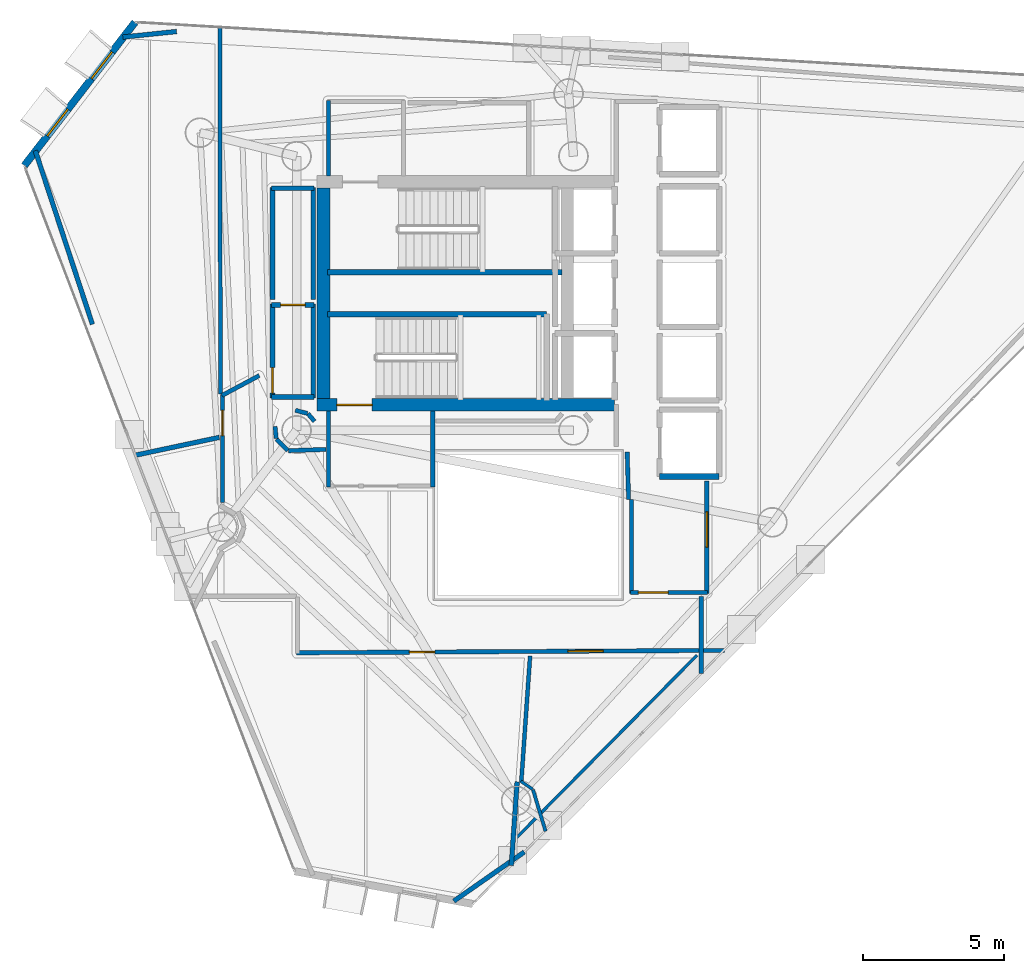
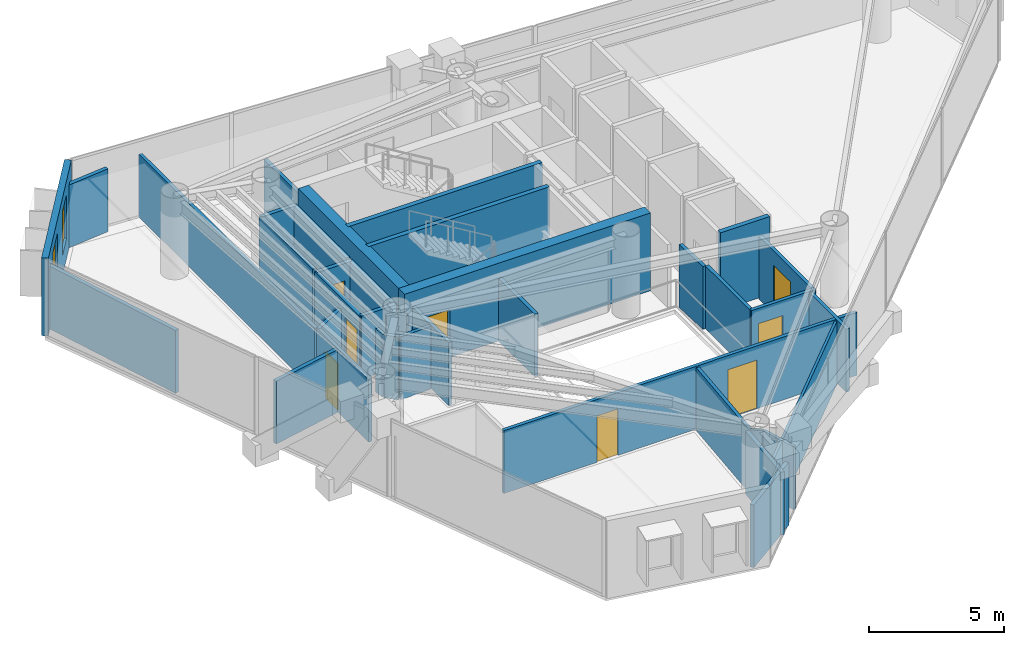
# One storey, part 16 of 20: 39 walls, 8 doors, 2 windows, 10 openings.
"""IFC4 building model written with IfcOpenShell, lengths in metres."""

from ifc_helpers import new_model, si_unit, direction, frame, frame_2d, origin, place, context, subcontext, project, spatial, rectangle, extrude, material, layer, layer_set, type_object, element, fill, save


model = new_model("IFC4")

# Units and contexts
model_context = context("Model", 3, precision=1e-05, world=origin(), true_north=direction((0.0, 1.0)))
body_context = subcontext(model_context, "Body", "Model", "MODEL_VIEW")
ifc_project = project(units=[si_unit("LENGTHUNIT", "METRE"), si_unit("AREAUNIT", "SQUARE_METRE"), si_unit("VOLUMEUNIT", "CUBIC_METRE"), si_unit("PLANEANGLEUNIT", "RADIAN"), si_unit("MASSUNIT", "GRAM", prefix="KILO")], contexts=[model_context])

# Site, building, storey
site_placement = place(None, origin())
site = spatial("IfcSite", under=ifc_project, at=site_placement, CompositionType="ELEMENT")
building_placement = place(site_placement, origin())
building = spatial("IfcBuilding", under=site, at=building_placement, Name="Qianvela Tower", CompositionType="ELEMENT")
storey_placement = place(building_placement, frame((0.0, 0.0, 239.0)))
storey = spatial("IfcBuildingStorey", under=building, at=storey_placement, Name="L61", CompositionType="ELEMENT", Elevation=239.0)

# Wall, openings, windows
ifc_material_1 = material(Name="Terracotta Cladding on Concrete C40", Category="masonry")
ifc_layer_1 = layer(ifc_material_1, 0.260009765625)
ifc_layer_set_1 = layer_set([ifc_layer_1], Name="Terracotta Cladding on Concrete C40")
wall_type_1 = type_object("IfcWallType", Name="TERRACOTTA-WALL-260", PredefinedType="SOLIDWALL", material=ifc_layer_set_1)
wall_1_placement = place(storey_placement, frame((22.881591796875, 38.292724609375, 0.0), z_axis=(0.0, 0.0, 1.0), x_axis=(-0.610907208769, -0.791702205551, 0.0)))
wall_1 = element("IfcWall", 1, at=wall_1_placement, inside=storey, type_object=wall_type_1, Name="L61 Terracotta Chamfer Facet Wall 3", PredefinedType="SOLIDWALL", context=body_context, shape_type="SweptSolid", body=[
    extrude(rectangle(XDim=6.40625, YDim=0.260009765625, at=frame_2d((3.203125, 0.0))), origin(), (0.0, 0.0, 1.0), 3.52001953125),
])
opening_1_placement = place(wall_1_placement, frame((1.322021484375, 0.0, 0.89990234375)))
opening_1 = element("IfcOpeningElement", 2, at=opening_1_placement, cuts=wall_1, Name="Opening W-03", PredefinedType="OPENING", context=body_context, shape_type="SweptSolid", body=[
    extrude(rectangle(XDim=1.199951171875, YDim=2.0, at=frame_2d((0.60009765625, 1.0))), frame((0.0, 0.139892578125, 0.0), z_axis=(0.0, -1.0, 0.0), x_axis=(1.0, 0.0, 0.0)), (0.0, 0.0, 1.0), 0.280029296875),
])
opening_2_placement = place(wall_1_placement, frame((3.884521484375, 0.0, 0.89990234375)))
opening_2 = element("IfcOpeningElement", 3, at=opening_2_placement, cuts=wall_1, Name="Opening W-03", PredefinedType="OPENING", context=body_context, shape_type="SweptSolid", body=[
    extrude(rectangle(XDim=1.199951171875, YDim=2.0, at=frame_2d((0.60009765625, 1.0))), frame((0.0, 0.139892578125, 0.0), z_axis=(0.0, -1.0, 0.0), x_axis=(1.0, 0.0, 0.0)), (0.0, 0.0, 1.0), 0.280029296875),
])
ifc_material_2 = material(Name="Thermally Broken Aluminium and Low-E Glass", Category="aluminium")
window_type = type_object("IfcWindowType", Name="WIN-TC-1200x2000", PartitioningType="SINGLE_PANEL", PredefinedType="WINDOW", material=ifc_material_2)
window_1_placement = place(opening_1_placement, origin())
window_1 = element("IfcWindow", 4, at=window_1_placement, inside=storey, type_object=window_type, Name="L61 Chamfer Facet Window 3.1", OverallHeight=2.0, OverallWidth=1.199951171875, PartitioningType="SINGLE_PANEL", PredefinedType="WINDOW", context=body_context, shape_type="SweptSolid", body=[
    extrude(rectangle(XDim=1.199951171875, YDim=2.0, at=frame_2d((0.60009765625, 1.0))), frame((0.0, 0.030029296875, 0.0), z_axis=(0.0, -1.0, 0.0), x_axis=(1.0, 0.0, 0.0)), (0.0, 0.0, 1.0), 0.06005859375),
])
fill(opening_1, window_1)
window_2_placement = place(opening_2_placement, origin())
window_2 = element("IfcWindow", 5, at=window_2_placement, inside=storey, type_object=window_type, Name="L61 Chamfer Facet Window 3.2", OverallHeight=2.0, OverallWidth=1.199951171875, PartitioningType="SINGLE_PANEL", PredefinedType="WINDOW", context=body_context, shape_type="SweptSolid", body=[
    extrude(rectangle(XDim=1.199951171875, YDim=2.0, at=frame_2d((0.60009765625, 1.0))), frame((0.0, 0.030029296875, 0.0), z_axis=(0.0, -1.0, 0.0), x_axis=(1.0, 0.0, 0.0)), (0.0, 0.0, 1.0), 0.06005859375),
])
fill(opening_2, window_2)

# Wall, opening, door
ifc_material_3 = material(Name="Concrete C50", Category="concrete")
ifc_layer_2 = layer(ifc_material_3, 0.449951171875)
ifc_layer_set_2 = layer_set([ifc_layer_2], Name="Concrete C50")
wall_type_2 = type_object("IfcWallType", Name="WT-CORE-450", PredefinedType="SHEAR", material=ifc_layer_set_2)
wall_2_placement = place(storey_placement, frame((29.330078125, 24.7548828125, 0.0), z_axis=(0.0, 0.0, 1.0), x_axis=(1.0, 0.0, 0.0)))
wall_2 = element("IfcWall", 6, at=wall_2_placement, inside=storey, type_object=wall_type_2, Name="L61 South Core Shear Wall", PredefinedType="SHEAR", context=body_context, shape_type="SweptSolid", body=[
    extrude(rectangle(XDim=10.52001953125, YDim=0.449951171875, at=frame_2d((5.260009765625, 0.0))), origin(), (0.0, 0.0, 1.0), 3.52001953125),
])
opening_3_placement = place(wall_2_placement, frame((0.695068359375, 0.0, 0.0)))
opening_3 = element("IfcOpeningElement", 7, at=opening_3_placement, cuts=wall_2, Name="Opening D-ST1", PredefinedType="OPENING", context=body_context, shape_type="SweptSolid", body=[
    extrude(rectangle(XDim=1.25, YDim=2.14990234375, at=frame_2d((0.625, 1.074951171875))), frame((0.0, 0.23486328125, 0.0), z_axis=(0.0, -1.0, 0.0), x_axis=(1.0, 0.0, 0.0)), (0.0, 0.0, 1.0), 0.469970703125),
])
ifc_material_4 = material(Name="Galvanised Fire Steel Q355B", Category="steel")
door_type_1 = type_object("IfcDoorType", Name="DT-STAIR-FD90", OperationType="NOTDEFINED", PredefinedType="DOOR", material=ifc_material_4)
door_1_placement = place(opening_3_placement, origin())
door_1 = element("IfcDoor", 8, at=door_1_placement, inside=storey, type_object=door_type_1, Name="L61 Stair ST-2 Exit Door", OperationType="SINGLE_SWING_LEFT", OverallHeight=2.14990234375, OverallWidth=1.25, PredefinedType="DOOR", context=body_context, shape_type="SweptSolid", body=[
    extrude(rectangle(XDim=1.25, YDim=2.14990234375, at=frame_2d((0.625, 1.074951171875))), frame((0.0, 0.02490234375, 0.0), z_axis=(0.0, -1.0, 0.0), x_axis=(1.0, 0.0, 0.0)), (0.0, 0.0, 1.0), 0.050048828125),
])
fill(opening_3, door_1)

# Walls
wall_3_placement = place(storey_placement, frame((29.554931640625, 24.97998046875, 0.0), z_axis=(0.0, 0.0, 1.0), x_axis=(0.0, 1.0, 0.0)))
element("IfcWall", 9, at=wall_3_placement, inside=storey, type_object=wall_type_2, Name="L61 West Core Shear Wall", PredefinedType="SHEAR", context=body_context, shape_type="SweptSolid", body=[
    extrude(rectangle(XDim=7.43994140625, YDim=0.449951171875, at=frame_2d((3.719970703125, 0.0))), origin(), (0.0, 0.0, 1.0), 3.52001953125),
])
ifc_material_5 = material(Name="Fire-Rated Acoustic Gypsum Board")
ifc_layer_3 = layer(ifc_material_5, 0.14990234375)
ifc_layer_set_3 = layer_set([ifc_layer_3], Name="Fire-Rated Acoustic Gypsum Board")
wall_type_3 = type_object("IfcWallType", Name="WT-CORR-150", PredefinedType="PARTITIONING", material=ifc_layer_set_3)
wall_4_placement = place(storey_placement, frame((29.73095703125, 32.85791015625, 0.0), z_axis=(0.0, 0.0, 1.0), x_axis=(0.0, 1.0, 0.0)))
element("IfcWall", 10, at=wall_4_placement, inside=storey, type_object=wall_type_3, Name="L61 Partition 2", PredefinedType="PARTITIONING", context=body_context, shape_type="SweptSolid", body=[
    extrude(rectangle(XDim=2.662109375, YDim=0.14990234375, at=frame_2d((1.3310546875, 0.0))), origin(), (0.0, 0.0, 1.0), 2.840087890625),
])
for number, where, z_axis, x_axis, name in (
    (11, (29.73095703125, 21.85009765625, 0.0), (0.0, 0.0, 1.0), (0.0, 1.0, 0.0), "L61 Partition 6"),
    (12, (33.4189453125, 24.5419921875, 0.0), (0.0, 0.0, 1.0), (0.0, -1.0, 0.0), "L61 Partition 8"),
):
    element("IfcWall", number, at=place(storey_placement, frame(where, z_axis=z_axis, x_axis=x_axis)), inside=storey, type_object=wall_type_3, Name=name, PredefinedType="PARTITIONING", context=body_context, shape_type="SweptSolid", body=[
        extrude(rectangle(XDim=2.69189453125, YDim=0.14990234375, at=frame_2d((1.345947265625, 0.0))), origin(), (0.0, 0.0, 1.0), 2.840087890625),
    ])
wall_5_placement = place(storey_placement, frame((40.35107421875, 21.40087890625, 0.0), z_axis=(0.0, 0.0, 1.0), x_axis=(-0.031058045979, 0.999517582527, 0.0)))
element("IfcWall", 13, at=wall_5_placement, inside=storey, type_object=wall_type_3, Name="L61 Partition 9", PredefinedType="PARTITIONING", context=body_context, shape_type="SweptSolid", body=[
    extrude(rectangle(XDim=1.68212890625, YDim=0.14990234375, at=frame_2d((0.841064453125, 0.0))), origin(), (0.0, 0.0, 1.0), 2.840087890625),
])

# Wall, opening, door
wall_6_placement = place(storey_placement, frame((43.118896484375, 22.050048828125, 0.0), z_axis=(0.0, 0.0, 1.0), x_axis=(0.0, -1.0, 0.0)))
wall_6 = element("IfcWall", 14, at=wall_6_placement, inside=storey, type_object=wall_type_3, Name="L61 Partition 16", PredefinedType="PARTITIONING", context=body_context, shape_type="SweptSolid", body=[
    extrude(rectangle(XDim=3.969970703125, YDim=0.14990234375, at=frame_2d((1.98486328125, 0.0))), origin(), (0.0, 0.0, 1.0), 2.840087890625),
])
opening_4_placement = place(wall_6_placement, frame((1.080078125, 0.0, 0.0)))
opening_4 = element("IfcOpeningElement", 15, at=opening_4_placement, cuts=wall_6, Name="Opening D-LG1", PredefinedType="OPENING", context=body_context, shape_type="SweptSolid", body=[
    extrude(rectangle(XDim=1.25, YDim=2.199951171875, at=frame_2d((0.625, 1.10009765625))), frame((0.0, 0.0849609375, 0.0), z_axis=(0.0, -1.0, 0.0), x_axis=(1.0, 0.0, 0.0)), (0.0, 0.0, 1.0), 0.169921875),
])
ifc_material_6 = material(Name="Anodised Aluminium Acoustic Glass Door", Category="aluminium")
door_type_2 = type_object("IfcDoorType", Name="DT-LOUNGE-1250", OperationType="NOTDEFINED", PredefinedType="DOOR", material=ifc_material_6)
door_2_placement = place(opening_4_placement, origin())
door_2 = element("IfcDoor", 16, at=door_2_placement, inside=storey, type_object=door_type_2, Name="L61 Door Social Sitting Lounge L61-02 to L61 Lift Lobby", OperationType="SINGLE_SWING_RIGHT", OverallHeight=2.199951171875, OverallWidth=1.25, PredefinedType="DOOR", context=body_context, shape_type="SweptSolid", body=[
    extrude(rectangle(XDim=1.25, YDim=2.199951171875, at=frame_2d((0.625, 1.10009765625))), frame((0.0, 0.02490234375, 0.0), z_axis=(0.0, -1.0, 0.0), x_axis=(1.0, 0.0, 0.0)), (0.0, 0.0, 1.0), 0.050048828125),
])
fill(opening_4, door_2)

wall_7_placement = place(storey_placement, frame((43.14990234375, 18.111083984375, 0.0), z_axis=(0.0, 0.0, 1.0), x_axis=(-1.0, 0.0, 0.0)))
wall_7 = element("IfcWall", 17, at=wall_7_placement, inside=storey, type_object=wall_type_3, Name="L61 Partition 17", PredefinedType="PARTITIONING", context=body_context, shape_type="SweptSolid", body=[
    extrude(rectangle(XDim=2.72998046875, YDim=0.14990234375, at=frame_2d((1.364990234375, 0.0))), origin(), (0.0, 0.0, 1.0), 2.840087890625),
])
opening_5_placement = place(wall_7_placement, frame((1.39990234375, 0.0, 0.0)))
opening_5 = element("IfcOpeningElement", 18, at=opening_5_placement, cuts=wall_7, Name="Opening D-PL1", PredefinedType="OPENING", context=body_context, shape_type="SweptSolid", body=[
    extrude(rectangle(XDim=1.050048828125, YDim=2.14990234375, at=frame_2d((0.52490234375, 1.074951171875))), frame((0.0, 0.0849609375, 0.0), z_axis=(0.0, -1.0, 0.0), x_axis=(1.0, 0.0, 0.0)), (0.0, 0.0, 1.0), 0.169921875),
])
ifc_material_7 = material(Name="Insulated Steel Fire Door Q355B", Category="steel")
door_type_3 = type_object("IfcDoorType", Name="DT-PLANT-FD90", OperationType="NOTDEFINED", PredefinedType="DOOR", material=ifc_material_7)
door_3_placement = place(opening_5_placement, origin())
door_3 = element("IfcDoor", 19, at=door_3_placement, inside=storey, type_object=door_type_3, Name="L61 Door L61 Lift Lobby to L61 Floor Corridor", OperationType="SINGLE_SWING_LEFT", OverallHeight=2.14990234375, OverallWidth=1.050048828125, PredefinedType="DOOR", context=body_context, shape_type="SweptSolid", body=[
    extrude(rectangle(XDim=1.050048828125, YDim=2.14990234375, at=frame_2d((0.52490234375, 1.074951171875))), frame((0.0, 0.02490234375, 0.0), z_axis=(0.0, -1.0, 0.0), x_axis=(1.0, 0.0, 0.0)), (0.0, 0.0, 1.0), 0.050048828125),
])
fill(opening_5, door_3)

# Walls
wall_8_placement = place(storey_placement, frame((40.450927734375, 18.080078125, 0.0), z_axis=(0.0, 0.0, 1.0), x_axis=(0.0, 1.0, 0.0)))
element("IfcWall", 20, at=wall_8_placement, inside=storey, type_object=wall_type_3, Name="L61 Partition 18 seg 1", PredefinedType="PARTITIONING", context=body_context, shape_type="SweptSolid", body=[
    extrude(rectangle(XDim=3.31982421875, YDim=0.14990234375, at=frame_2d((1.659912109375, 0.0))), origin(), (0.0, 0.0, 1.0), 2.840087890625),
])
wall_9_placement = place(storey_placement, frame((29.236083984375, 24.170166015625, 0.0), z_axis=(0.0, 0.0, 1.0), x_axis=(-0.652260263346, 0.757995084984, 0.0)))
element("IfcWall", 21, at=wall_9_placement, inside=storey, type_object=wall_type_3, Name="L61 Partition 35", PredefinedType="PARTITIONING", context=body_context, shape_type="SweptSolid", body=[
    extrude(rectangle(XDim=0.35546875, YDim=0.14990234375, at=frame_2d((0.177734375, 0.0))), origin(), (0.0, 0.0, 1.0), 2.840087890625),
])
wall_10_placement = place(storey_placement, frame((28.98828125, 24.44970703125, 0.0), z_axis=(0.0, 0.0, 1.0), x_axis=(-0.968704505916, 0.248216800836, 0.0)))
element("IfcWall", 22, at=wall_10_placement, inside=storey, type_object=wall_type_3, Name="L61 Partition 36", PredefinedType="PARTITIONING", context=body_context, shape_type="SweptSolid", body=[
    extrude(rectangle(XDim=0.444580078125, YDim=0.14990234375, at=frame_2d((0.22216796875, 0.0))), origin(), (0.0, 0.0, 1.0), 2.840087890625),
])
wall_11_placement = place(storey_placement, frame((27.83837890625, 23.9921875, 0.0), z_axis=(0.0, 0.0, 1.0), x_axis=(0.098273407977, -0.995159453196, 0.0)))
element("IfcWall", 23, at=wall_11_placement, inside=storey, type_object=wall_type_3, Name="L61 Partition 50", PredefinedType="PARTITIONING", context=body_context, shape_type="SweptSolid", body=[
    extrude(rectangle(XDim=0.432373046875, YDim=0.14990234375, at=frame_2d((0.21630859375, 0.0))), origin(), (0.0, 0.0, 1.0), 2.840087890625),
])
wall_12_placement = place(storey_placement, frame((27.889892578125, 23.54296875, 0.0), z_axis=(0.0, 0.0, 1.0), x_axis=(0.707106781187, -0.707106781187, 0.0)))
element("IfcWall", 24, at=wall_12_placement, inside=storey, type_object=wall_type_3, Name="L61 Partition 51", PredefinedType="PARTITIONING", context=body_context, shape_type="SweptSolid", body=[
    extrude(rectangle(XDim=0.570068359375, YDim=0.14990234375, at=frame_2d((0.28515625, 0.0))), origin(), (0.0, 0.0, 1.0), 2.840087890625),
])
wall_13_placement = place(storey_placement, frame((28.31591796875, 23.130615234375, 0.0), z_axis=(0.0, 0.0, 1.0), x_axis=(0.999405342193, 0.034481328227, 0.0)))
element("IfcWall", 25, at=wall_13_placement, inside=storey, type_object=wall_type_3, Name="L61 Partition 52", PredefinedType="PARTITIONING", context=body_context, shape_type="SweptSolid", body=[
    extrude(rectangle(XDim=1.323974609375, YDim=0.14990234375, at=frame_2d((0.662109375, 0.0))), origin(), (0.0, 0.0, 1.0), 2.840087890625),
])
wall_14_placement = place(storey_placement, frame((42.9189453125, 17.97998046875, 0.0), z_axis=(0.0, 0.0, 1.0), x_axis=(0.0, -1.0, 0.0)))
element("IfcWall", 26, at=wall_14_placement, inside=storey, type_object=wall_type_3, Name="L61 Partition 56", PredefinedType="PARTITIONING", context=body_context, shape_type="SweptSolid", body=[
    extrude(rectangle(XDim=2.740966796875, YDim=0.14990234375, at=frame_2d((1.37060546875, 0.0))), origin(), (0.0, 0.0, 1.0), 2.840087890625),
])

# Wall, openings, doors
wall_15_placement = place(storey_placement, frame((43.736328125, 16.065185546875, 0.0), z_axis=(0.0, 0.0, 1.0), x_axis=(-0.99998451794, -0.005564519729, 0.0)))
wall_15 = element("IfcWall", 27, at=wall_15_placement, inside=storey, type_object=wall_type_3, Name="L61 Partition 57", PredefinedType="PARTITIONING", context=body_context, shape_type="SweptSolid", body=[
    extrude(rectangle(XDim=15.13671875, YDim=0.14990234375, at=frame_2d((7.568359375, 0.0))), origin(), (0.0, 0.0, 1.0), 2.840087890625),
])
opening_6_placement = place(wall_15_placement, frame((4.283447265625, 0.0, 0.0)))
opening_6 = element("IfcOpeningElement", 28, at=opening_6_placement, cuts=wall_15, Name="Opening D-LG1", PredefinedType="OPENING", context=body_context, shape_type="SweptSolid", body=[
    extrude(rectangle(XDim=1.25, YDim=2.199951171875, at=frame_2d((0.625, 1.10009765625))), frame((0.0, 0.0849609375, 0.0), z_axis=(0.0, -1.0, 0.0), x_axis=(1.0, 0.0, 0.0)), (0.0, 0.0, 1.0), 0.169921875),
])
opening_7_placement = place(wall_15_placement, frame((10.24560546875, 0.0, 0.0)))
opening_7 = element("IfcOpeningElement", 29, at=opening_7_placement, cuts=wall_15, Name="Opening D-KT1", PredefinedType="OPENING", context=body_context, shape_type="SweptSolid", body=[
    extrude(rectangle(XDim=0.89990234375, YDim=2.10009765625, at=frame_2d((0.449951171875, 1.050048828125))), frame((0.0, 0.0849609375, 0.0), z_axis=(0.0, -1.0, 0.0), x_axis=(1.0, 0.0, 0.0)), (0.0, 0.0, 1.0), 0.169921875),
])
ifc_material_8 = material(Name="Glazed Timber Kitchen Door", Category="wood")
door_type_4 = type_object("IfcDoorType", Name="DT-KITCH-900", OperationType="NOTDEFINED", PredefinedType="DOOR", material=ifc_material_8)
door_4_placement = place(opening_7_placement, origin())
door_4 = element("IfcDoor", 30, at=door_4_placement, inside=storey, type_object=door_type_4, Name="L61 Door Student Tea Pantry L61-04 to L61 Floor Corridor", OperationType="SINGLE_SWING_RIGHT", OverallHeight=2.10009765625, OverallWidth=0.89990234375, PredefinedType="DOOR", context=body_context, shape_type="SweptSolid", body=[
    extrude(rectangle(XDim=0.89990234375, YDim=2.10009765625, at=frame_2d((0.449951171875, 1.050048828125))), frame((0.0, 0.02490234375, 0.0), z_axis=(0.0, -1.0, 0.0), x_axis=(1.0, 0.0, 0.0)), (0.0, 0.0, 1.0), 0.050048828125),
])
fill(opening_7, door_4)
door_5_placement = place(opening_6_placement, origin())
door_5 = element("IfcDoor", 31, at=door_5_placement, inside=storey, type_object=door_type_2, Name="L61 Door Panoramic Study Lounge L61-01 to L61 Floor Corridor", OperationType="SINGLE_SWING_LEFT", OverallHeight=2.199951171875, OverallWidth=1.25, PredefinedType="DOOR", context=body_context, shape_type="SweptSolid", body=[
    extrude(rectangle(XDim=1.25, YDim=2.199951171875, at=frame_2d((0.625, 1.10009765625))), frame((0.0, 0.02490234375, 0.0), z_axis=(0.0, -1.0, 0.0), x_axis=(1.0, 0.0, 0.0)), (0.0, 0.0, 1.0), 0.050048828125),
])
fill(opening_6, door_5)

# Wall, opening, door
wall_16_placement = place(storey_placement, frame((25.98095703125, 21.289306640625, 0.0), z_axis=(0.0, 0.0, 1.0), x_axis=(0.0, 1.0, 0.0)))
wall_16 = element("IfcWall", 32, at=wall_16_placement, inside=storey, type_object=wall_type_3, Name="L61 Partition 63", PredefinedType="PARTITIONING", context=body_context, shape_type="SweptSolid", body=[
    extrude(rectangle(XDim=3.82421875, YDim=0.14990234375, at=frame_2d((1.912109375, 0.0))), origin(), (0.0, 0.0, 1.0), 2.840087890625),
])
opening_8_placement = place(wall_16_placement, frame((2.371337890625, 0.0, 0.0)))
opening_8 = element("IfcOpeningElement", 33, at=opening_8_placement, cuts=wall_16, Name="Opening D-KT1", PredefinedType="OPENING", context=body_context, shape_type="SweptSolid", body=[
    extrude(rectangle(XDim=0.89990234375, YDim=2.10009765625, at=frame_2d((0.449951171875, 1.050048828125))), frame((0.0, 0.0849609375, 0.0), z_axis=(0.0, -1.0, 0.0), x_axis=(1.0, 0.0, 0.0)), (0.0, 0.0, 1.0), 0.169921875),
])
door_6_placement = place(opening_8_placement, origin())
door_6 = element("IfcDoor", 34, at=door_6_placement, inside=storey, type_object=door_type_4, Name="L61 Door Shared Communal Kitchen L61-03 to L61 Floor Corridor", OperationType="SINGLE_SWING_LEFT", OverallHeight=2.10009765625, OverallWidth=0.89990234375, PredefinedType="DOOR", context=body_context, shape_type="SweptSolid", body=[
    extrude(rectangle(XDim=0.89990234375, YDim=2.10009765625, at=frame_2d((0.449951171875, 1.050048828125))), frame((0.0, 0.02490234375, 0.0), z_axis=(0.0, -1.0, 0.0), x_axis=(1.0, 0.0, 0.0)), (0.0, 0.0, 1.0), 0.050048828125),
])
fill(opening_8, door_6)

# Walls
wall_17_placement = place(storey_placement, frame((25.964599609375, 25.086181640625, 0.0), z_axis=(0.0, 0.0, 1.0), x_axis=(0.881881208279, 0.471471668803, 0.0)))
element("IfcWall", 35, at=wall_17_placement, inside=storey, type_object=wall_type_3, Name="L61 Partition 64", PredefinedType="PARTITIONING", context=body_context, shape_type="SweptSolid", body=[
    extrude(rectangle(XDim=1.491455078125, YDim=0.14990234375, at=frame_2d((0.74560546875, 0.0))), origin(), (0.0, 0.0, 1.0), 2.840087890625),
])
ifc_material_9 = material(Name="Lightweight Gypsum Room Partition")
ifc_layer_4 = layer(ifc_material_9, 0.10498046875)
ifc_layer_set_4 = layer_set([ifc_layer_4], Name="Lightweight Gypsum Room Partition")
wall_type_4 = type_object("IfcWallType", Name="WT-PART-105", PredefinedType="PARTITIONING", material=ifc_layer_set_4)
wall_18_placement = place(storey_placement, frame((36.9560546875, 11.148193359375, 0.0), z_axis=(0.0, 0.0, 1.0), x_axis=(-0.825070075803, 0.565030415123, 0.0)))
element("IfcWall", 36, at=wall_18_placement, inside=storey, type_object=wall_type_4, Name="L61 Partition 69", PredefinedType="PARTITIONING", context=body_context, shape_type="SweptSolid", body=[
    extrude(rectangle(XDim=0.505126953125, YDim=0.10498046875, at=frame_2d((0.25244140625, 0.0))), origin(), (0.0, 0.0, 1.0), 2.840087890625),
])
wall_19_placement = place(storey_placement, frame((42.769775390625, 15.891845703125, 0.0), z_axis=(0.0, 0.0, 1.0), x_axis=(-0.703226719555, -0.71096566788, 0.0)))
element("IfcWall", 37, at=wall_19_placement, inside=storey, type_object=wall_type_4, Name="L61 Partition 72", PredefinedType="PARTITIONING", context=body_context, shape_type="SweptSolid", body=[
    extrude(rectangle(XDim=9.1171875, YDim=0.10498046875, at=frame_2d((4.55859375, 0.0))), origin(), (0.0, 0.0, 1.0), 2.840087890625),
])
ifc_material_10 = material(Name="Insulated Gypsum Stud Partition")
ifc_layer_5 = layer(ifc_material_10, 0.1201171875)
ifc_layer_set_5 = layer_set([ifc_layer_5], Name="Insulated Gypsum Stud Partition")
wall_type_5 = type_object("IfcWallType", Name="WT-PART-120", PredefinedType="PARTITIONING", material=ifc_layer_set_5)
wall_20_placement = place(storey_placement, frame((37.41259765625, 9.667236328125, 0.0), z_axis=(0.0, 0.0, 1.0), x_axis=(-0.29036160912, 0.956916995329, 0.0)))
element("IfcWall", 38, at=wall_20_placement, inside=storey, type_object=wall_type_5, Name="L61 Partition 68", PredefinedType="PARTITIONING", context=body_context, shape_type="SweptSolid", body=[
    extrude(rectangle(XDim=1.5302734375, YDim=0.1201171875, at=frame_2d((0.76513671875, 0.0))), origin(), (0.0, 0.0, 1.0), 2.840087890625),
])

# Wall, opening, door
ifc_material_11 = material(Name="Sanitary Service Chase Partition")
ifc_layer_6 = layer(ifc_material_11, 0.1650390625)
ifc_layer_set_6 = layer_set([ifc_layer_6], Name="Sanitary Service Chase Partition")
wall_type_6 = type_object("IfcWallType", Name="WT-PLUMB-165", PredefinedType="PLUMBINGWALL", material=ifc_layer_set_6)
wall_21_placement = place(storey_placement, frame((27.7509765625, 25.0, 0.0), z_axis=(0.0, 0.0, 1.0), x_axis=(0.0, 1.0, 0.0)))
wall_21 = element("IfcWall", 39, at=wall_21_placement, inside=storey, type_object=wall_type_6, Name="L61 Partition 23", PredefinedType="PLUMBINGWALL", context=body_context, shape_type="SweptSolid", body=[
    extrude(rectangle(XDim=3.320068359375, YDim=0.1650390625, at=frame_2d((1.66015625, 0.0))), origin(), (0.0, 0.0, 1.0), 2.840087890625),
])
opening_9_placement = place(wall_21_placement, frame((0.1708984375, 0.0, 0.0)))
opening_9 = element("IfcOpeningElement", 40, at=opening_9_placement, cuts=wall_21, Name="Opening D-KT1", PredefinedType="OPENING", context=body_context, shape_type="SweptSolid", body=[
    extrude(rectangle(XDim=0.89990234375, YDim=2.10009765625, at=frame_2d((0.449951171875, 1.050048828125))), frame((0.0, 0.092529296875, 0.0), z_axis=(0.0, -1.0, 0.0), x_axis=(1.0, 0.0, 0.0)), (0.0, 0.0, 1.0), 0.18505859375),
])
door_7_placement = place(opening_9_placement, origin())
door_7 = element("IfcDoor", 41, at=door_7_placement, inside=storey, type_object=door_type_4, Name="L61 Door L61 Core Tea Pantry West to L61 Floor Corridor", OperationType="SINGLE_SWING_RIGHT", OverallHeight=2.10009765625, OverallWidth=0.89990234375, PredefinedType="DOOR", context=body_context, shape_type="SweptSolid", body=[
    extrude(rectangle(XDim=0.89990234375, YDim=2.10009765625, at=frame_2d((0.449951171875, 1.050048828125))), frame((0.0, 0.02490234375, 0.0), z_axis=(0.0, -1.0, 0.0), x_axis=(1.0, 0.0, 0.0)), (0.0, 0.0, 1.0), 0.050048828125),
])
fill(opening_9, door_7)

wall_22_placement = place(storey_placement, frame((27.719970703125, 28.2890625, 0.0), z_axis=(0.0, 0.0, 1.0), x_axis=(1.0, 0.0, 0.0)))
wall_22 = element("IfcWall", 42, at=wall_22_placement, inside=storey, type_object=wall_type_6, Name="L61 Partition 24", PredefinedType="PLUMBINGWALL", context=body_context, shape_type="SweptSolid", body=[
    extrude(rectangle(XDim=1.5, YDim=0.1650390625, at=frame_2d((0.75, 0.0))), origin(), (0.0, 0.0, 1.0), 2.840087890625),
])
opening_10_placement = place(wall_22_placement, frame((0.320068359375, 0.0, 0.0)))
opening_10 = element("IfcOpeningElement", 43, at=opening_10_placement, cuts=wall_22, Name="Opening D-WC1", PredefinedType="OPENING", context=body_context, shape_type="SweptSolid", body=[
    extrude(rectangle(XDim=0.860107421875, YDim=2.050048828125, at=frame_2d((0.43017578125, 1.02490234375))), frame((0.0, 0.092529296875, 0.0), z_axis=(0.0, -1.0, 0.0), x_axis=(1.0, 0.0, 0.0)), (0.0, 0.0, 1.0), 0.18505859375),
])
ifc_material_12 = material(Name="Moisture-Sealed Acoustic Timber Door", Category="wood")
door_type_5 = type_object("IfcDoorType", Name="DT-WC-860", OperationType="NOTDEFINED", PredefinedType="DOOR", material=ifc_material_12)
door_8_placement = place(opening_10_placement, origin())
door_8 = element("IfcDoor", 44, at=door_8_placement, inside=storey, type_object=door_type_5, Name="L61 Door L61 Accessible WC to L61 Core Tea Pantry West", OperationType="SINGLE_SWING_LEFT", OverallHeight=2.050048828125, OverallWidth=0.860107421875, PredefinedType="DOOR", context=body_context, shape_type="SweptSolid", body=[
    extrude(rectangle(XDim=0.860107421875, YDim=2.050048828125, at=frame_2d((0.43017578125, 1.02490234375))), frame((0.0, 0.02490234375, 0.0), z_axis=(0.0, -1.0, 0.0), x_axis=(1.0, 0.0, 0.0)), (0.0, 0.0, 1.0), 0.050048828125),
])
fill(opening_10, door_8)

# Walls
wall_23_placement = place(storey_placement, frame((29.18896484375, 28.320068359375, 0.0), z_axis=(0.0, 0.0, 1.0), x_axis=(0.0, -1.0, 0.0)))
element("IfcWall", 45, at=wall_23_placement, inside=storey, type_object=wall_type_6, Name="L61 Partition 25", PredefinedType="PLUMBINGWALL", context=body_context, shape_type="SweptSolid", body=[
    extrude(rectangle(XDim=3.320068359375, YDim=0.1650390625, at=frame_2d((1.66015625, 0.0))), origin(), (0.0, 0.0, 1.0), 2.840087890625),
])
wall_24_placement = place(storey_placement, frame((29.219970703125, 25.031005859375, 0.0), z_axis=(0.0, 0.0, 1.0), x_axis=(-1.0, 0.0, 0.0)))
element("IfcWall", 46, at=wall_24_placement, inside=storey, type_object=wall_type_6, Name="L61 Partition 26", PredefinedType="PLUMBINGWALL", context=body_context, shape_type="SweptSolid", body=[
    extrude(rectangle(XDim=1.5, YDim=0.1650390625, at=frame_2d((0.75, 0.0))), origin(), (0.0, 0.0, 1.0), 2.840087890625),
])
wall_25_placement = place(storey_placement, frame((27.7509765625, 28.47998046875, 0.0), z_axis=(0.0, 0.0, 1.0), x_axis=(0.0, 1.0, 0.0)))
element("IfcWall", 47, at=wall_25_placement, inside=storey, type_object=wall_type_6, Name="L61 Partition 27", PredefinedType="PLUMBINGWALL", context=body_context, shape_type="SweptSolid", body=[
    extrude(rectangle(XDim=3.969970703125, YDim=0.1650390625, at=frame_2d((1.98486328125, 0.0))), origin(), (0.0, 0.0, 1.0), 2.840087890625),
])
wall_26_placement = place(storey_placement, frame((27.719970703125, 32.4189453125, 0.0), z_axis=(0.0, 0.0, 1.0), x_axis=(1.0, 0.0, 0.0)))
element("IfcWall", 48, at=wall_26_placement, inside=storey, type_object=wall_type_6, Name="L61 Partition 28", PredefinedType="PLUMBINGWALL", context=body_context, shape_type="SweptSolid", body=[
    extrude(rectangle(XDim=1.5, YDim=0.1650390625, at=frame_2d((0.75, 0.0))), origin(), (0.0, 0.0, 1.0), 2.840087890625),
])
wall_27_placement = place(storey_placement, frame((29.18896484375, 32.449951171875, 0.0), z_axis=(0.0, 0.0, 1.0), x_axis=(0.0, -1.0, 0.0)))
element("IfcWall", 49, at=wall_27_placement, inside=storey, type_object=wall_type_6, Name="L61 Partition 29", PredefinedType="PLUMBINGWALL", context=body_context, shape_type="SweptSolid", body=[
    extrude(rectangle(XDim=3.969970703125, YDim=0.1650390625, at=frame_2d((1.98486328125, 0.0))), origin(), (0.0, 0.0, 1.0), 2.840087890625),
])
wall_28_placement = place(storey_placement, frame((25.863525390625, 23.601318359375, 0.0), z_axis=(0.0, 0.0, 1.0), x_axis=(-0.978142599983, -0.207935216108, 0.0)))
element("IfcWall", 50, at=wall_28_placement, inside=storey, type_object=wall_type_6, Name="L61 Partition 97", PredefinedType="PLUMBINGWALL", context=body_context, shape_type="SweptSolid", body=[
    extrude(rectangle(XDim=3.05517578125, YDim=0.1650390625, at=frame_2d((1.527587890625, 0.0))), origin(), (0.0, 0.0, 1.0), 2.840087890625),
])
wall_29_placement = place(storey_placement, frame((21.376220703125, 27.605712890625, 0.0), z_axis=(0.0, 0.0, 1.0), x_axis=(-0.312432120662, 0.949940087573, 0.0)))
element("IfcWall", 51, at=wall_29_placement, inside=storey, type_object=wall_type_6, Name="L61 Partition 98 seg 2", PredefinedType="PLUMBINGWALL", context=body_context, shape_type="SweptSolid", body=[
    extrude(rectangle(XDim=6.468505859375, YDim=0.1650390625, at=frame_2d((3.234375, 0.0))), origin(), (0.0, 0.0, 1.0), 2.840087890625),
])
wall_30_placement = place(storey_placement, frame((22.454345703125, 37.76611328125, 0.0), z_axis=(0.0, 0.0, 1.0), x_axis=(0.994566178833, 0.104106272251, 0.0)))
element("IfcWall", 52, at=wall_30_placement, inside=storey, type_object=wall_type_6, Name="L61 Partition 100 seg 1", PredefinedType="PLUMBINGWALL", context=body_context, shape_type="SweptSolid", body=[
    extrude(rectangle(XDim=1.911376953125, YDim=0.1650390625, at=frame_2d((0.95556640625, 0.0))), origin(), (0.0, 0.0, 1.0), 2.840087890625),
])
wall_31_placement = place(storey_placement, frame((36.406982421875, 11.416015625, 0.0), z_axis=(0.0, 0.0, 1.0), x_axis=(-0.069731163391, -0.997565819809, 0.0)))
element("IfcWall", 53, at=wall_31_placement, inside=storey, type_object=wall_type_6, Name="L61 Partition 110 seg 1", PredefinedType="PLUMBINGWALL", context=body_context, shape_type="SweptSolid", body=[
    extrude(rectangle(XDim=2.97607421875, YDim=0.1650390625, at=frame_2d((1.488037109375, 0.0))), origin(), (0.0, 0.0, 1.0), 2.840087890625),
])
wall_32_placement = place(storey_placement, frame((36.65966796875, 8.930908203125, 0.0), z_axis=(0.0, 0.0, 1.0), x_axis=(-0.820456391153, -0.571709113287, 0.0)))
element("IfcWall", 54, at=wall_32_placement, inside=storey, type_object=wall_type_6, Name="L61 Partition 111", PredefinedType="PLUMBINGWALL", context=body_context, shape_type="SweptSolid", body=[
    extrude(rectangle(XDim=3.03955078125, YDim=0.1650390625, at=frame_2d((1.519775390625, 0.0))), origin(), (0.0, 0.0, 1.0), 2.840087890625),
])
ifc_material_13 = material(Name="Acoustic Double Gypsum Stud Partition")
ifc_layer_7 = layer(ifc_material_13, 0.139892578125)
ifc_layer_set_7 = layer_set([ifc_layer_7], Name="Acoustic Double Gypsum Stud Partition")
wall_type_7 = type_object("IfcWallType", Name="WT-ROOM-140", PredefinedType="PARTITIONING", material=ifc_layer_set_7)
wall_33_placement = place(storey_placement, frame((36.552734375, 11.406005859375, 0.0), z_axis=(0.0, 0.0, 1.0), x_axis=(0.069757428916, 0.997563983467, 0.0)))
element("IfcWall", 55, at=wall_33_placement, inside=storey, type_object=wall_type_7, Name="L61 Partition 70", PredefinedType="PARTITIONING", context=body_context, shape_type="SweptSolid", body=[
    extrude(rectangle(XDim=4.472900390625, YDim=0.139892578125, at=frame_2d((2.236328125, 0.0))), origin(), (0.0, 0.0, 1.0), 2.840087890625),
])
wall_34_placement = place(storey_placement, frame((25.907958984375, 25.146240234375, 0.0), z_axis=(0.0, 0.0, 1.0), x_axis=(-0.001860864055, 0.999998268591, 0.0)))
element("IfcWall", 56, at=wall_34_placement, inside=storey, type_object=wall_type_7, Name="L61 Partition 88 seg 1", PredefinedType="PARTITIONING", context=body_context, shape_type="SweptSolid", body=[
    extrude(rectangle(XDim=12.988525390625, YDim=0.139892578125, at=frame_2d((6.494140625, 0.0))), origin(), (0.0, 0.0, 1.0), 2.840087890625),
])
ifc_material_14 = material(Name="Concrete C50", Category="concrete")
ifc_layer_8 = layer(ifc_material_14, 0.199951171875)
ifc_layer_set_8 = layer_set([ifc_layer_8], Name="Concrete C50")
wall_type_8 = type_object("IfcWallType", Name="WT-SHAFT-200", PredefinedType="SOLIDWALL", material=ifc_layer_set_8)
wall_35_placement = place(storey_placement, frame((29.699951171875, 29.449951171875, 0.0), z_axis=(0.0, 0.0, 1.0), x_axis=(1.0, 0.0, 0.0)))
element("IfcWall", 57, at=wall_35_placement, inside=storey, type_object=wall_type_8, Name="L61 Stair ST-1 South Wall", PredefinedType="SOLIDWALL", context=body_context, shape_type="SweptSolid", body=[
    extrude(rectangle(XDim=8.300048828125, YDim=0.199951171875, at=frame_2d((4.14990234375, 0.0))), origin(), (0.0, 0.0, 1.0), 3.52001953125),
])
wall_36_placement = place(storey_placement, frame((29.699951171875, 27.9599609375, 0.0), z_axis=(0.0, 0.0, 1.0), x_axis=(1.0, 0.0, 0.0)))
element("IfcWall", 58, at=wall_36_placement, inside=storey, type_object=wall_type_8, Name="L61 Stair ST-2 North Wall", PredefinedType="SOLIDWALL", context=body_context, shape_type="SweptSolid", body=[
    extrude(rectangle(XDim=7.75, YDim=0.199951171875, at=frame_2d((3.875, 0.0))), origin(), (0.0, 0.0, 1.0), 3.52001953125),
])
wall_37_placement = place(storey_placement, frame((41.449951171875, 22.219970703125, 0.0), z_axis=(0.0, 0.0, 1.0), x_axis=(1.0, 0.0, 0.0)))
element("IfcWall", 59, at=wall_37_placement, inside=storey, type_object=wall_type_8, Name="L61 Lift PL-H2 S Shaft Wall", PredefinedType="SOLIDWALL", context=body_context, shape_type="SweptSolid", body=[
    extrude(rectangle(XDim=2.10009765625, YDim=0.199951171875, at=frame_2d((1.050048828125, 0.0))), origin(), (0.0, 0.0, 1.0), 3.52001953125),
])

save(model, "model.ifc")
